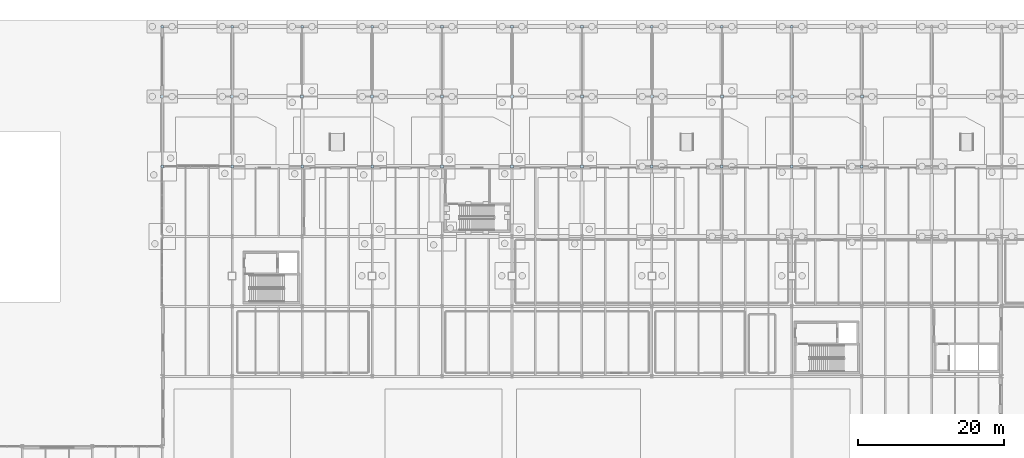
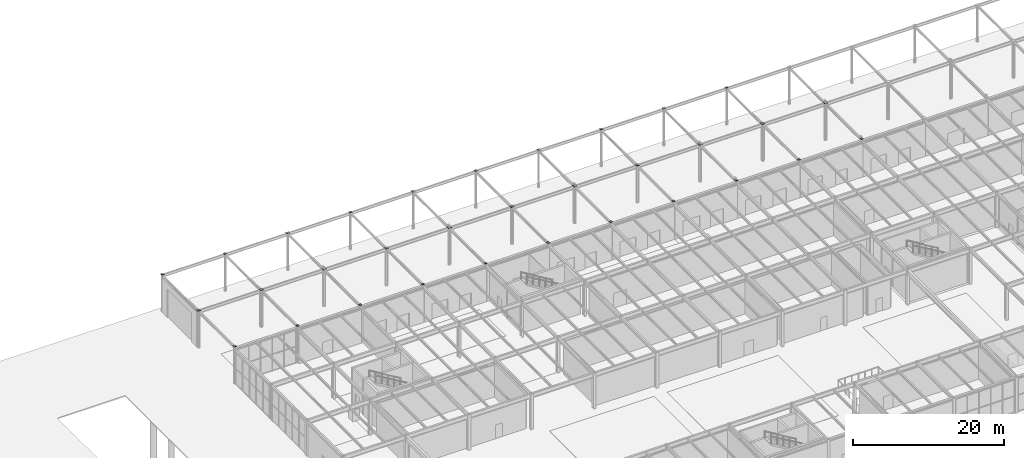
# One storey, part 114 of 142: 32 plates.
"""IFC4 building model written with IfcOpenShell, lengths in metres."""

from ifc_helpers import new_model, si_unit, direction, frame, origin, origin_2d, place, context, subcontext, project, spatial, rectangle, extrude, material, layer, layer_set, type_object, element, save


model = new_model("IFC4")

# Units and contexts
model_context = context("Model", 3, precision=1e-05, world=origin(), true_north=direction((0.0, 1.0)))
body_context = subcontext(model_context, "Body", "Model", "MODEL_VIEW")
ifc_project = project(units=[si_unit("LENGTHUNIT", "METRE"), si_unit("AREAUNIT", "SQUARE_METRE"), si_unit("VOLUMEUNIT", "CUBIC_METRE"), si_unit("PLANEANGLEUNIT", "RADIAN"), si_unit("MASSUNIT", "GRAM", prefix="KILO")], contexts=[model_context])

# Site, building, storey
site_placement = place(None, origin())
site = spatial("IfcSite", under=ifc_project, at=site_placement, CompositionType="ELEMENT")
building_placement = place(site_placement, origin())
building = spatial("IfcBuilding", under=site, at=building_placement, Name="Coralgate Yard Interchange", CompositionType="ELEMENT")
storey_placement = place(building_placement, origin())
storey = spatial("IfcBuildingStorey", under=building, at=storey_placement, Name="L00", CompositionType="ELEMENT", Elevation=0.0)

# Plates
ifc_material = material(Name="Structural steel S355J2", Category="steel")
ifc_layer = layer(ifc_material, 0.01806640625)
ifc_layer_set = layer_set([ifc_layer], Name="Structural steel S355J2")
plate_type = type_object("IfcPlateType", Name="PLT-EP-18", PredefinedType="USERDEFINED", material=ifc_layer_set)
plate_1_placement = place(storey_placement, frame((38.39990234375, 96.0, 5.998046875), z_axis=(0.0, 0.0, 1.0), x_axis=(1.0, 0.0, 0.0)))
element("IfcPlate", 1, at=plate_1_placement, inside=storey, type_object=plate_type, Name="Steel hollow section end cap plate CAP-WCOL-04-10", ObjectType="CAP PLATE", PredefinedType="USERDEFINED", context=body_context, shape_type="SweptSolid", body=[
    extrude(rectangle(XDim=0.35400390625, YDim=0.35400390625, at=origin_2d()), origin(), (0.0, 0.0, 1.0), 0.01806640625),
])
plate_2_placement = place(storey_placement, frame((38.39990234375, 105.60009765625, 5.998046875), z_axis=(0.0, 0.0, 1.0), x_axis=(1.0, 0.0, 0.0)))
element("IfcPlate", 2, at=plate_2_placement, inside=storey, type_object=plate_type, Name="Steel hollow section end cap plate CAP-WCOL-04-11", ObjectType="CAP PLATE", PredefinedType="USERDEFINED", context=body_context, shape_type="SweptSolid", body=[
    extrude(rectangle(XDim=0.43603515625, YDim=0.43603515625, at=origin_2d()), origin(), (0.0, 0.0, 1.0), 0.01806640625),
])
for number, where, z_axis, x_axis, name in (
    (3, (38.39990234375, 115.199951171875, 5.998046875), (0.0, 0.0, 1.0), (1.0, 0.0, 0.0), "Steel hollow section end cap plate CAP-WCOL-04-12"),
    (4, (48.0, 96.0, 5.998046875), (0.0, 0.0, 1.0), (1.0, 0.0, 0.0), "Steel hollow section end cap plate CAP-WCOL-05-10"),
):
    element("IfcPlate", number, at=place(storey_placement, frame(where, z_axis=z_axis, x_axis=x_axis)), inside=storey, type_object=plate_type, Name=name, ObjectType="CAP PLATE", PredefinedType="USERDEFINED", context=body_context, shape_type="SweptSolid", body=[
        extrude(rectangle(XDim=0.35400390625, YDim=0.35400390625, at=origin_2d()), origin(), (0.0, 0.0, 1.0), 0.01806640625),
    ])
plate_3_placement = place(storey_placement, frame((48.0, 105.60009765625, 5.998046875), z_axis=(0.0, 0.0, 1.0), x_axis=(1.0, 0.0, 0.0)))
element("IfcPlate", 5, at=plate_3_placement, inside=storey, type_object=plate_type, Name="Steel hollow section end cap plate CAP-WCOL-05-11", ObjectType="CAP PLATE", PredefinedType="USERDEFINED", context=body_context, shape_type="SweptSolid", body=[
    extrude(rectangle(XDim=0.43603515625, YDim=0.43603515625, at=origin_2d()), origin(), (0.0, 0.0, 1.0), 0.01806640625),
])
for number, where, z_axis, x_axis, name in (
    (6, (48.0, 115.199951171875, 5.998046875), (0.0, 0.0, 1.0), (1.0, 0.0, 0.0), "Steel hollow section end cap plate CAP-WCOL-05-12"),
    (7, (57.60009765625, 96.0, 5.998046875), (0.0, 0.0, 1.0), (1.0, 0.0, 0.0), "Steel hollow section end cap plate CAP-WCOL-06-10"),
):
    element("IfcPlate", number, at=place(storey_placement, frame(where, z_axis=z_axis, x_axis=x_axis)), inside=storey, type_object=plate_type, Name=name, ObjectType="CAP PLATE", PredefinedType="USERDEFINED", context=body_context, shape_type="SweptSolid", body=[
        extrude(rectangle(XDim=0.35400390625, YDim=0.35400390625, at=origin_2d()), origin(), (0.0, 0.0, 1.0), 0.01806640625),
    ])
plate_4_placement = place(storey_placement, frame((57.60009765625, 105.60009765625, 5.998046875), z_axis=(0.0, 0.0, 1.0), x_axis=(1.0, 0.0, 0.0)))
element("IfcPlate", 8, at=plate_4_placement, inside=storey, type_object=plate_type, Name="Steel hollow section end cap plate CAP-WCOL-06-11", ObjectType="CAP PLATE", PredefinedType="USERDEFINED", context=body_context, shape_type="SweptSolid", body=[
    extrude(rectangle(XDim=0.43603515625, YDim=0.43603515625, at=origin_2d()), origin(), (0.0, 0.0, 1.0), 0.01806640625),
])
for number, where, z_axis, x_axis, name in (
    (9, (57.60009765625, 115.199951171875, 5.998046875), (0.0, 0.0, 1.0), (1.0, 0.0, 0.0), "Steel hollow section end cap plate CAP-WCOL-06-12"),
    (10, (67.199951171875, 96.0, 5.998046875), (0.0, 0.0, 1.0), (1.0, 0.0, 0.0), "Steel hollow section end cap plate CAP-WCOL-07-10"),
):
    element("IfcPlate", number, at=place(storey_placement, frame(where, z_axis=z_axis, x_axis=x_axis)), inside=storey, type_object=plate_type, Name=name, ObjectType="CAP PLATE", PredefinedType="USERDEFINED", context=body_context, shape_type="SweptSolid", body=[
        extrude(rectangle(XDim=0.35400390625, YDim=0.35400390625, at=origin_2d()), origin(), (0.0, 0.0, 1.0), 0.01806640625),
    ])
plate_5_placement = place(storey_placement, frame((67.199951171875, 105.60009765625, 5.998046875), z_axis=(0.0, 0.0, 1.0), x_axis=(1.0, 0.0, 0.0)))
element("IfcPlate", 11, at=plate_5_placement, inside=storey, type_object=plate_type, Name="Steel hollow section end cap plate CAP-WCOL-07-11", ObjectType="CAP PLATE", PredefinedType="USERDEFINED", context=body_context, shape_type="SweptSolid", body=[
    extrude(rectangle(XDim=0.43603515625, YDim=0.43603515625, at=origin_2d()), origin(), (0.0, 0.0, 1.0), 0.01806640625),
])
for number, where, z_axis, x_axis, name in (
    (12, (67.199951171875, 115.199951171875, 5.998046875), (0.0, 0.0, 1.0), (1.0, 0.0, 0.0), "Steel hollow section end cap plate CAP-WCOL-07-12"),
    (13, (76.800048828125, 96.0, 5.998046875), (0.0, 0.0, 1.0), (1.0, 0.0, 0.0), "Steel hollow section end cap plate CAP-WCOL-08-10"),
):
    element("IfcPlate", number, at=place(storey_placement, frame(where, z_axis=z_axis, x_axis=x_axis)), inside=storey, type_object=plate_type, Name=name, ObjectType="CAP PLATE", PredefinedType="USERDEFINED", context=body_context, shape_type="SweptSolid", body=[
        extrude(rectangle(XDim=0.35400390625, YDim=0.35400390625, at=origin_2d()), origin(), (0.0, 0.0, 1.0), 0.01806640625),
    ])
plate_6_placement = place(storey_placement, frame((76.800048828125, 105.60009765625, 5.998046875), z_axis=(0.0, 0.0, 1.0), x_axis=(1.0, 0.0, 0.0)))
element("IfcPlate", 14, at=plate_6_placement, inside=storey, type_object=plate_type, Name="Steel hollow section end cap plate CAP-WCOL-08-11", ObjectType="CAP PLATE", PredefinedType="USERDEFINED", context=body_context, shape_type="SweptSolid", body=[
    extrude(rectangle(XDim=0.43603515625, YDim=0.43603515625, at=origin_2d()), origin(), (0.0, 0.0, 1.0), 0.01806640625),
])
for number, where, z_axis, x_axis, name in (
    (15, (76.800048828125, 115.199951171875, 5.998046875), (0.0, 0.0, 1.0), (1.0, 0.0, 0.0), "Steel hollow section end cap plate CAP-WCOL-08-12"),
    (16, (86.39990234375, 96.0, 5.998046875), (0.0, 0.0, 1.0), (1.0, 0.0, 0.0), "Steel hollow section end cap plate CAP-WCOL-09-10"),
):
    element("IfcPlate", number, at=place(storey_placement, frame(where, z_axis=z_axis, x_axis=x_axis)), inside=storey, type_object=plate_type, Name=name, ObjectType="CAP PLATE", PredefinedType="USERDEFINED", context=body_context, shape_type="SweptSolid", body=[
        extrude(rectangle(XDim=0.35400390625, YDim=0.35400390625, at=origin_2d()), origin(), (0.0, 0.0, 1.0), 0.01806640625),
    ])
plate_7_placement = place(storey_placement, frame((86.39990234375, 105.60009765625, 5.998046875), z_axis=(0.0, 0.0, 1.0), x_axis=(1.0, 0.0, 0.0)))
element("IfcPlate", 17, at=plate_7_placement, inside=storey, type_object=plate_type, Name="Steel hollow section end cap plate CAP-WCOL-09-11", ObjectType="CAP PLATE", PredefinedType="USERDEFINED", context=body_context, shape_type="SweptSolid", body=[
    extrude(rectangle(XDim=0.43603515625, YDim=0.43603515625, at=origin_2d()), origin(), (0.0, 0.0, 1.0), 0.01806640625),
])
for number, where, z_axis, x_axis, name in (
    (18, (86.39990234375, 115.199951171875, 5.998046875), (0.0, 0.0, 1.0), (1.0, 0.0, 0.0), "Steel hollow section end cap plate CAP-WCOL-09-12"),
    (19, (96.0, 96.0, 5.998046875), (0.0, 0.0, 1.0), (1.0, 0.0, 0.0), "Steel hollow section end cap plate CAP-WCOL-10-10"),
):
    element("IfcPlate", number, at=place(storey_placement, frame(where, z_axis=z_axis, x_axis=x_axis)), inside=storey, type_object=plate_type, Name=name, ObjectType="CAP PLATE", PredefinedType="USERDEFINED", context=body_context, shape_type="SweptSolid", body=[
        extrude(rectangle(XDim=0.35400390625, YDim=0.35400390625, at=origin_2d()), origin(), (0.0, 0.0, 1.0), 0.01806640625),
    ])
plate_8_placement = place(storey_placement, frame((96.0, 105.60009765625, 5.998046875), z_axis=(0.0, 0.0, 1.0), x_axis=(1.0, 0.0, 0.0)))
element("IfcPlate", 20, at=plate_8_placement, inside=storey, type_object=plate_type, Name="Steel hollow section end cap plate CAP-WCOL-10-11", ObjectType="CAP PLATE", PredefinedType="USERDEFINED", context=body_context, shape_type="SweptSolid", body=[
    extrude(rectangle(XDim=0.43603515625, YDim=0.43603515625, at=origin_2d()), origin(), (0.0, 0.0, 1.0), 0.01806640625),
])
for number, where, z_axis, x_axis, name in (
    (21, (96.0, 115.199951171875, 5.998046875), (0.0, 0.0, 1.0), (1.0, 0.0, 0.0), "Steel hollow section end cap plate CAP-WCOL-10-12"),
    (22, (105.60009765625, 96.0, 5.998046875), (0.0, 0.0, 1.0), (1.0, 0.0, 0.0), "Steel hollow section end cap plate CAP-WCOL-11-10"),
):
    element("IfcPlate", number, at=place(storey_placement, frame(where, z_axis=z_axis, x_axis=x_axis)), inside=storey, type_object=plate_type, Name=name, ObjectType="CAP PLATE", PredefinedType="USERDEFINED", context=body_context, shape_type="SweptSolid", body=[
        extrude(rectangle(XDim=0.35400390625, YDim=0.35400390625, at=origin_2d()), origin(), (0.0, 0.0, 1.0), 0.01806640625),
    ])
plate_9_placement = place(storey_placement, frame((105.60009765625, 105.60009765625, 5.998046875), z_axis=(0.0, 0.0, 1.0), x_axis=(1.0, 0.0, 0.0)))
element("IfcPlate", 23, at=plate_9_placement, inside=storey, type_object=plate_type, Name="Steel hollow section end cap plate CAP-WCOL-11-11", ObjectType="CAP PLATE", PredefinedType="USERDEFINED", context=body_context, shape_type="SweptSolid", body=[
    extrude(rectangle(XDim=0.43603515625, YDim=0.43603515625, at=origin_2d()), origin(), (0.0, 0.0, 1.0), 0.01806640625),
])
for number, where, z_axis, x_axis, name in (
    (24, (105.60009765625, 115.199951171875, 5.998046875), (0.0, 0.0, 1.0), (1.0, 0.0, 0.0), "Steel hollow section end cap plate CAP-WCOL-11-12"),
    (25, (115.199951171875, 96.0, 5.998046875), (0.0, 0.0, 1.0), (1.0, 0.0, 0.0), "Steel hollow section end cap plate CAP-WCOL-12-10"),
):
    element("IfcPlate", number, at=place(storey_placement, frame(where, z_axis=z_axis, x_axis=x_axis)), inside=storey, type_object=plate_type, Name=name, ObjectType="CAP PLATE", PredefinedType="USERDEFINED", context=body_context, shape_type="SweptSolid", body=[
        extrude(rectangle(XDim=0.35400390625, YDim=0.35400390625, at=origin_2d()), origin(), (0.0, 0.0, 1.0), 0.01806640625),
    ])
plate_10_placement = place(storey_placement, frame((115.199951171875, 105.60009765625, 5.998046875), z_axis=(0.0, 0.0, 1.0), x_axis=(1.0, 0.0, 0.0)))
element("IfcPlate", 26, at=plate_10_placement, inside=storey, type_object=plate_type, Name="Steel hollow section end cap plate CAP-WCOL-12-11", ObjectType="CAP PLATE", PredefinedType="USERDEFINED", context=body_context, shape_type="SweptSolid", body=[
    extrude(rectangle(XDim=0.43603515625, YDim=0.43603515625, at=origin_2d()), origin(), (0.0, 0.0, 1.0), 0.01806640625),
])
for number, where, z_axis, x_axis, name in (
    (27, (115.199951171875, 115.199951171875, 5.998046875), (0.0, 0.0, 1.0), (1.0, 0.0, 0.0), "Steel hollow section end cap plate CAP-WCOL-12-12"),
    (28, (124.800048828125, 96.0, 5.998046875), (0.0, 0.0, 1.0), (1.0, 0.0, 0.0), "Steel hollow section end cap plate CAP-WCOL-13-10"),
):
    element("IfcPlate", number, at=place(storey_placement, frame(where, z_axis=z_axis, x_axis=x_axis)), inside=storey, type_object=plate_type, Name=name, ObjectType="CAP PLATE", PredefinedType="USERDEFINED", context=body_context, shape_type="SweptSolid", body=[
        extrude(rectangle(XDim=0.35400390625, YDim=0.35400390625, at=origin_2d()), origin(), (0.0, 0.0, 1.0), 0.01806640625),
    ])
plate_11_placement = place(storey_placement, frame((124.800048828125, 105.60009765625, 5.998046875), z_axis=(0.0, 0.0, 1.0), x_axis=(1.0, 0.0, 0.0)))
element("IfcPlate", 29, at=plate_11_placement, inside=storey, type_object=plate_type, Name="Steel hollow section end cap plate CAP-WCOL-13-11", ObjectType="CAP PLATE", PredefinedType="USERDEFINED", context=body_context, shape_type="SweptSolid", body=[
    extrude(rectangle(XDim=0.43603515625, YDim=0.43603515625, at=origin_2d()), origin(), (0.0, 0.0, 1.0), 0.01806640625),
])
for number, where, z_axis, x_axis, name in (
    (30, (124.800048828125, 115.199951171875, 5.998046875), (0.0, 0.0, 1.0), (1.0, 0.0, 0.0), "Steel hollow section end cap plate CAP-WCOL-13-12"),
    (31, (134.39990234375, 96.0, 5.998046875), (0.0, 0.0, 1.0), (1.0, 0.0, 0.0), "Steel hollow section end cap plate CAP-WCOL-14-10"),
):
    element("IfcPlate", number, at=place(storey_placement, frame(where, z_axis=z_axis, x_axis=x_axis)), inside=storey, type_object=plate_type, Name=name, ObjectType="CAP PLATE", PredefinedType="USERDEFINED", context=body_context, shape_type="SweptSolid", body=[
        extrude(rectangle(XDim=0.35400390625, YDim=0.35400390625, at=origin_2d()), origin(), (0.0, 0.0, 1.0), 0.01806640625),
    ])
plate_12_placement = place(storey_placement, frame((134.39990234375, 105.60009765625, 5.998046875), z_axis=(0.0, 0.0, 1.0), x_axis=(1.0, 0.0, 0.0)))
element("IfcPlate", 32, at=plate_12_placement, inside=storey, type_object=plate_type, Name="Steel hollow section end cap plate CAP-WCOL-14-11", ObjectType="CAP PLATE", PredefinedType="USERDEFINED", context=body_context, shape_type="SweptSolid", body=[
    extrude(rectangle(XDim=0.43603515625, YDim=0.43603515625, at=origin_2d()), origin(), (0.0, 0.0, 1.0), 0.01806640625),
])

save(model, "model.ifc")
